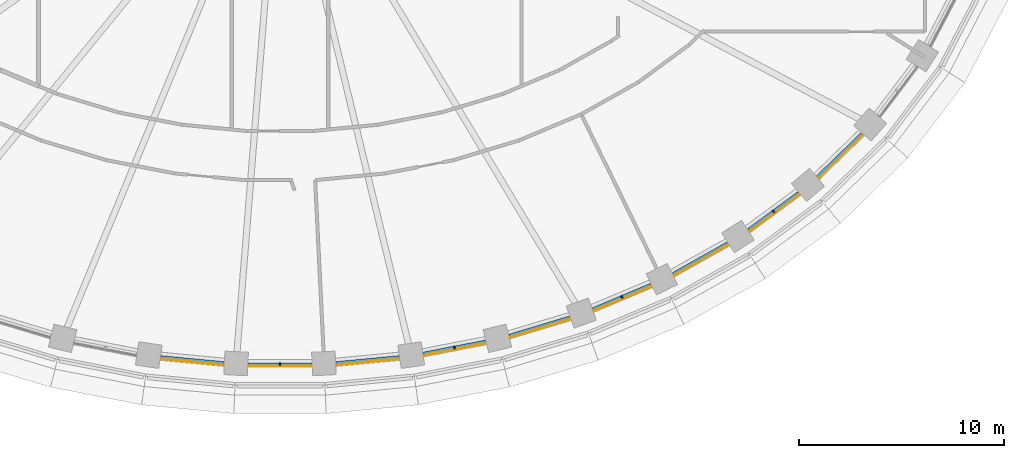
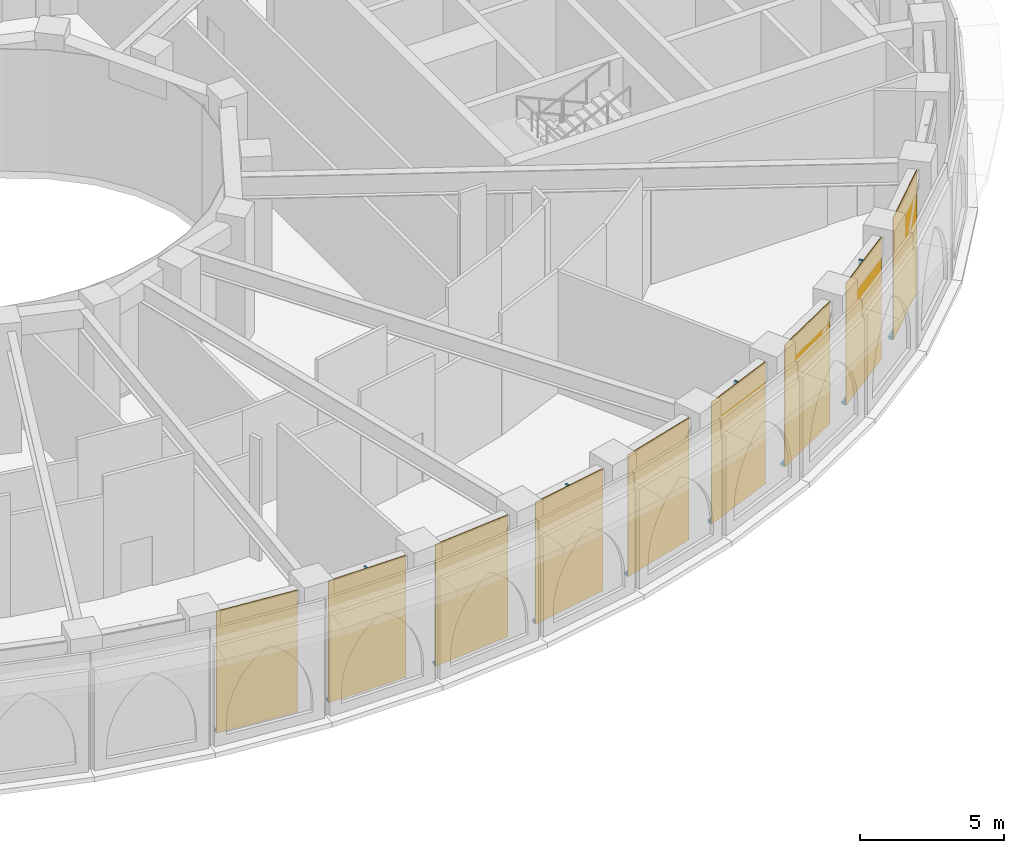
# One storey, part 14 of 25: 13 members, 9 curtain walls.
"""IFC4 building model written with IfcOpenShell, lengths in metres."""

from ifc_helpers import new_model, si_unit, direction, frame, origin, origin_2d, place, context, subcontext, project, spatial, polyline, rectangle, outline, extrude, material, layer, layer_set, material_profile, profile_set, type_object, element, aggregate, save


model = new_model("IFC4")

# Units and contexts
model_context = context("Model", 3, precision=1e-05, world=origin(), true_north=direction((0.0, 1.0)))
body_context = subcontext(model_context, "Body", "Model", "MODEL_VIEW")
ifc_project = project(units=[si_unit("LENGTHUNIT", "METRE"), si_unit("AREAUNIT", "SQUARE_METRE"), si_unit("VOLUMEUNIT", "CUBIC_METRE"), si_unit("PLANEANGLEUNIT", "RADIAN"), si_unit("MASSUNIT", "GRAM", prefix="KILO")], contexts=[model_context])

# Member
ifc_material_1 = material(Name="Aluminium 6063-T6 black anodised", Category="aluminium")
ifc_material_profile = material_profile(ifc_material_1, rectangle(XDim=0.14990234375, YDim=0.080078125, at=origin_2d()), Name="150x80")
ifc_profile_set = profile_set([ifc_material_profile], Name="Aluminium 6063-T6 black anodised")
member_type_1 = type_object("IfcMemberType", Name="ENV-MULLION-B-150", PredefinedType="MULLION", material=ifc_profile_set)
site_placement = place(None, origin())
building_placement = place(site_placement, origin())
storey_placement = place(building_placement, frame((0.0, 0.0, 198.0)))
member_1_placement = place(storey_placement, frame((0.0, -26.94091796875, 0.1201171875), z_axis=(0.0, 0.0, 1.0), x_axis=(0.0, 1.0, 0.0)))
member_1 = element("IfcMember", 1, at=member_1_placement, type_object=member_type_1, Name="Mullion B chord 35", PredefinedType="MULLION", context=body_context, shape_type="SweptSolid", body=[
    extrude(rectangle(XDim=0.14990234375, YDim=0.080078125, at=origin_2d()), origin(), (0.0, 0.0, 1.0), 5.02978515625),
])

member_2_placement = place(storey_placement, frame((8.51953125, -26.12451171875, 0.1201171875), z_axis=(0.0, 0.0, 1.0), x_axis=(-0.190820470077, 0.981624952922, 0.0)))
member_2 = element("IfcMember", 2, at=member_2_placement, type_object=member_type_1, Name="Mullion B chord 37", PredefinedType="MULLION", context=body_context, shape_type="SweptSolid", body=[
    extrude(rectangle(XDim=0.14990234375, YDim=0.080078125, at=origin_2d()), origin(), (0.0, 0.0, 1.0), 5.02978515625),
])

member_3_placement = place(storey_placement, frame((16.69482421875, -23.652587890625, 0.1201171875), z_axis=(0.0, 0.0, 1.0), x_axis=(-0.387638279686, 0.921811566494, 0.0)))
member_3 = element("IfcMember", 3, at=member_3_placement, type_object=member_type_1, Name="Mullion B chord 39", PredefinedType="MULLION", context=body_context, shape_type="SweptSolid", body=[
    extrude(rectangle(XDim=0.14990234375, YDim=0.080078125, at=origin_2d()), origin(), (0.0, 0.0, 1.0), 5.02978515625),
])

member_4_placement = place(storey_placement, frame((24.098388671875, -19.474365234375, 0.1201171875), z_axis=(0.0, 0.0, 1.0), x_axis=(-0.593067090304, 0.805153045326, 0.0)))
member_4 = element("IfcMember", 4, at=member_4_placement, type_object=member_type_1, Name="Mullion B chord 41", PredefinedType="MULLION", context=body_context, shape_type="SweptSolid", body=[
    extrude(rectangle(XDim=0.14990234375, YDim=0.080078125, at=origin_2d()), origin(), (0.0, 0.0, 1.0), 5.02978515625),
])

ifc_material_2 = material(Name="Aluminium 6063-T6 black anodised", Category="aluminium")
member_type_2 = type_object("IfcMemberType", Name="ENV-TRANSOM-B", PredefinedType="USERDEFINED", material=ifc_material_2)
member_5_placement = place(storey_placement, origin())
member_5 = element("IfcMember", 5, at=member_5_placement, type_object=member_type_2, Name="Transom B radial 34-35", ObjectType="TRANSOM", PredefinedType="USERDEFINED", context=body_context, shape_type="SweptSolid", body=[
    extrude(outline(polyline([(-5.82666015625, -26.6650390625), (-2.747802734375, -26.958740234375), (-2.740478515625, -26.808837890625), (-5.80517578125, -26.516357421875), (-5.82666015625, -26.6650390625)])), origin(), (0.0, 0.0, 1.0), 0.1201171875),
])

member_6_placement = place(storey_placement, origin())
member_6 = element("IfcMember", 6, at=member_6_placement, type_object=member_type_2, Name="Transom B radial 35-36", ObjectType="TRANSOM", PredefinedType="USERDEFINED", context=body_context, shape_type="SweptSolid", body=[
    extrude(outline(polyline([(-1.547119140625, -27.01611328125), (1.547119140625, -27.01611328125), (1.5400390625, -26.865966796875), (-1.5400390625, -26.865966796875), (-1.547119140625, -27.01611328125)])), origin(), (0.0, 0.0, 1.0), 0.1201171875),
])

member_7_placement = place(storey_placement, origin())
member_7 = element("IfcMember", 7, at=member_7_placement, type_object=member_type_2, Name="Transom B radial 36-37", ObjectType="TRANSOM", PredefinedType="USERDEFINED", context=body_context, shape_type="SweptSolid", body=[
    extrude(outline(polyline([(2.747802734375, -26.958740234375), (5.82666015625, -26.6650390625), (5.80517578125, -26.516357421875), (2.740478515625, -26.808837890625), (2.747802734375, -26.958740234375)])), origin(), (0.0, 0.0, 1.0), 0.1201171875),
])

member_8_placement = place(storey_placement, origin())
member_8 = element("IfcMember", 8, at=member_8_placement, type_object=member_type_2, Name="Transom B radial 37-38", ObjectType="TRANSOM", PredefinedType="USERDEFINED", context=body_context, shape_type="SweptSolid", body=[
    extrude(outline(polyline([(7.017333984375, -26.492919921875), (10.049560546875, -25.9033203125), (10.013427734375, -25.757568359375), (6.995849609375, -26.34423828125), (7.017333984375, -26.492919921875)])), origin(), (0.0, 0.0, 1.0), 0.1201171875),
])

member_9_placement = place(storey_placement, origin())
member_9 = element("IfcMember", 9, at=member_9_placement, type_object=member_type_2, Name="Transom B radial 38-39", ObjectType="TRANSOM", PredefinedType="USERDEFINED", context=body_context, shape_type="SweptSolid", body=[
    extrude(outline(polyline([(11.218994140625, -25.614501953125), (14.17041015625, -24.726318359375), (14.11962890625, -24.5849609375), (11.18310546875, -25.46875), (11.218994140625, -25.614501953125)])), origin(), (0.0, 0.0, 1.0), 0.1201171875),
])

member_10_placement = place(storey_placement, origin())
member_10 = element("IfcMember", 10, at=member_10_placement, type_object=member_type_2, Name="Transom B radial 39-40", ObjectType="TRANSOM", PredefinedType="USERDEFINED", context=body_context, shape_type="SweptSolid", body=[
    extrude(outline(polyline([(15.306884765625, -24.317626953125), (18.138916015625, -23.126708984375), (18.072998046875, -22.99169921875), (15.256103515625, -24.17626953125), (15.306884765625, -24.317626953125)])), origin(), (0.0, 0.0, 1.0), 0.1201171875),
])

member_11_placement = place(storey_placement, origin())
member_11 = element("IfcMember", 11, at=member_11_placement, type_object=member_type_2, Name="Transom B radial 40-41", ObjectType="TRANSOM", PredefinedType="USERDEFINED", context=body_context, shape_type="SweptSolid", body=[
    extrude(outline(polyline([(19.227294921875, -22.594482421875), (21.894775390625, -21.097412109375), (21.813232421875, -20.97119140625), (19.161376953125, -22.459716796875), (19.227294921875, -22.594482421875)])), origin(), (0.0, 0.0, 1.0), 0.1201171875),
])

member_12_placement = place(storey_placement, origin())
member_12 = element("IfcMember", 12, at=member_12_placement, type_object=member_type_2, Name="Transom B radial 41-42", ObjectType="TRANSOM", PredefinedType="USERDEFINED", context=body_context, shape_type="SweptSolid", body=[
    extrude(outline(polyline([(22.916748046875, -20.43798828125), (25.36572265625, -18.634033203125), (25.2685546875, -18.519287109375), (22.835205078125, -20.3115234375), (22.916748046875, -20.43798828125)])), origin(), (0.0, 0.0, 1.0), 0.1201171875),
])

member_13_placement = place(storey_placement, origin())
member_13 = element("IfcMember", 13, at=member_13_placement, type_object=member_type_2, Name="Transom B radial 42-43", ObjectType="TRANSOM", PredefinedType="USERDEFINED", context=body_context, shape_type="SweptSolid", body=[
    extrude(outline(polyline([(26.298583984375, -17.843505859375), (28.465087890625, -15.73876953125), (28.352294921875, -15.63916015625), (26.201416015625, -17.728759765625), (26.298583984375, -17.843505859375)])), origin(), (0.0, 0.0, 1.0), 0.1201171875),
])

# Site, building, storey
site = spatial("IfcSite", under=ifc_project, at=site_placement, CompositionType="ELEMENT")
building = spatial("IfcBuilding", under=site, at=building_placement, Name="Noorbagh Ring Tower", CompositionType="ELEMENT")
storey = spatial("IfcBuildingStorey", under=building, at=storey_placement, Name="L46", CompositionType="ELEMENT", Elevation=198.0)

# Curtain wall
ifc_material_3 = material(Name="Glass dark tinted laminated", Category="glass")
ifc_layer = layer(ifc_material_3, 0.031982421875)
ifc_layer_set = layer_set([ifc_layer], Name="Glass dark tinted laminated")
curtain_wall_type = type_object("IfcCurtainWallType", Name="ENV-CW-B", PredefinedType="NOTDEFINED", material=ifc_layer_set)
curtain_wall_1_placement = place(storey_placement, origin())
curtain_wall_1 = element("IfcCurtainWall", 14, at=curtain_wall_1_placement, inside=storey, type_object=curtain_wall_type, Name="Curtain wall B R34", PredefinedType="NOTDEFINED", context=body_context, shape_type="SweptSolid", body=[
    extrude(outline(polyline([(-5.831298828125, -26.69677734375), (-2.749267578125, -26.99072265625), (-2.747802734375, -26.958740234375), (-5.82666015625, -26.6650390625), (-5.831298828125, -26.69677734375)])), origin(), (0.0, 0.0, 1.0), 5.14990234375),
])

aggregate(curtain_wall_1, [member_5])

curtain_wall_2_placement = place(storey_placement, origin())
curtain_wall_2 = element("IfcCurtainWall", 15, at=curtain_wall_2_placement, inside=storey, type_object=curtain_wall_type, Name="Curtain wall B R35", PredefinedType="NOTDEFINED", context=body_context, shape_type="SweptSolid", body=[
    extrude(outline(polyline([(-1.548583984375, -27.048095703125), (1.548583984375, -27.048095703125), (1.547119140625, -27.01611328125), (-1.547119140625, -27.01611328125), (-1.548583984375, -27.048095703125)])), origin(), (0.0, 0.0, 1.0), 5.14990234375),
])

aggregate(curtain_wall_2, [member_1, member_6])

curtain_wall_3_placement = place(storey_placement, origin())
curtain_wall_3 = element("IfcCurtainWall", 16, at=curtain_wall_3_placement, inside=storey, type_object=curtain_wall_type, Name="Curtain wall B R36", PredefinedType="NOTDEFINED", context=body_context, shape_type="SweptSolid", body=[
    extrude(outline(polyline([(2.749267578125, -26.99072265625), (5.831298828125, -26.69677734375), (5.82666015625, -26.6650390625), (2.747802734375, -26.958740234375), (2.749267578125, -26.99072265625)])), origin(), (0.0, 0.0, 1.0), 5.14990234375),
])

aggregate(curtain_wall_3, [member_7])

curtain_wall_4_placement = place(storey_placement, origin())
curtain_wall_4 = element("IfcCurtainWall", 17, at=curtain_wall_4_placement, inside=storey, type_object=curtain_wall_type, Name="Curtain wall B R37", PredefinedType="NOTDEFINED", context=body_context, shape_type="SweptSolid", body=[
    extrude(outline(polyline([(7.021728515625, -26.524658203125), (10.05712890625, -25.9345703125), (10.049560546875, -25.9033203125), (7.017333984375, -26.492919921875), (7.021728515625, -26.524658203125)])), origin(), (0.0, 0.0, 1.0), 5.14990234375),
])

aggregate(curtain_wall_4, [member_2, member_8])

curtain_wall_5_placement = place(storey_placement, origin())
curtain_wall_5 = element("IfcCurtainWall", 18, at=curtain_wall_5_placement, inside=storey, type_object=curtain_wall_type, Name="Curtain wall B R38", PredefinedType="NOTDEFINED", context=body_context, shape_type="SweptSolid", body=[
    extrude(outline(polyline([(11.226806640625, -25.6455078125), (14.181396484375, -24.756591796875), (14.17041015625, -24.726318359375), (11.218994140625, -25.614501953125), (11.226806640625, -25.6455078125)])), origin(), (0.0, 0.0, 1.0), 5.14990234375),
])

aggregate(curtain_wall_5, [member_9])

curtain_wall_6_placement = place(storey_placement, origin())
curtain_wall_6 = element("IfcCurtainWall", 19, at=curtain_wall_6_placement, inside=storey, type_object=curtain_wall_type, Name="Curtain wall B R39", PredefinedType="NOTDEFINED", context=body_context, shape_type="SweptSolid", body=[
    extrude(outline(polyline([(15.317626953125, -24.347900390625), (18.153076171875, -23.155517578125), (18.138916015625, -23.126708984375), (15.306884765625, -24.317626953125), (15.317626953125, -24.347900390625)])), origin(), (0.0, 0.0, 1.0), 5.14990234375),
])

aggregate(curtain_wall_6, [member_3, member_10])

curtain_wall_7_placement = place(storey_placement, origin())
curtain_wall_7 = element("IfcCurtainWall", 20, at=curtain_wall_7_placement, inside=storey, type_object=curtain_wall_type, Name="Curtain wall B R40", PredefinedType="NOTDEFINED", context=body_context, shape_type="SweptSolid", body=[
    extrude(outline(polyline([(19.2412109375, -22.623291015625), (21.912109375, -21.12451171875), (21.894775390625, -21.097412109375), (19.227294921875, -22.594482421875), (19.2412109375, -22.623291015625)])), origin(), (0.0, 0.0, 1.0), 5.14990234375),
])

aggregate(curtain_wall_7, [member_11])

curtain_wall_8_placement = place(storey_placement, origin())
curtain_wall_8 = element("IfcCurtainWall", 21, at=curtain_wall_8_placement, inside=storey, type_object=curtain_wall_type, Name="Curtain wall B R41", PredefinedType="NOTDEFINED", context=body_context, shape_type="SweptSolid", body=[
    extrude(outline(polyline([(22.93408203125, -20.46484375), (25.386474609375, -18.658447265625), (25.36572265625, -18.634033203125), (22.916748046875, -20.43798828125), (22.93408203125, -20.46484375)])), origin(), (0.0, 0.0, 1.0), 5.14990234375),
])

aggregate(curtain_wall_8, [member_4, member_12])

curtain_wall_9_placement = place(storey_placement, origin())
curtain_wall_9 = element("IfcCurtainWall", 22, at=curtain_wall_9_placement, inside=storey, type_object=curtain_wall_type, Name="Curtain wall B R42", PredefinedType="NOTDEFINED", context=body_context, shape_type="SweptSolid", body=[
    extrude(outline(polyline([(26.319580078125, -17.867919921875), (28.489013671875, -15.760009765625), (28.465087890625, -15.73876953125), (26.298583984375, -17.843505859375), (26.319580078125, -17.867919921875)])), origin(), (0.0, 0.0, 1.0), 5.14990234375),
])

aggregate(curtain_wall_9, [member_13])

save(model, "model.ifc")
